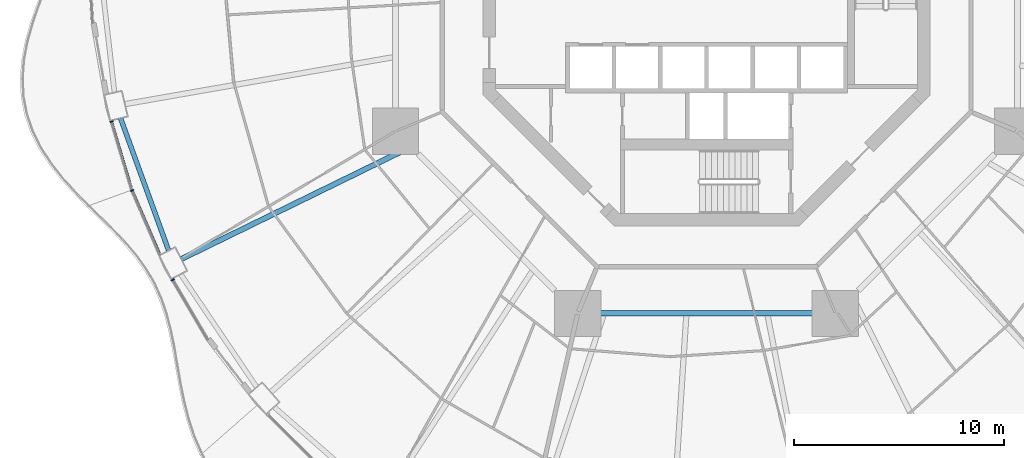
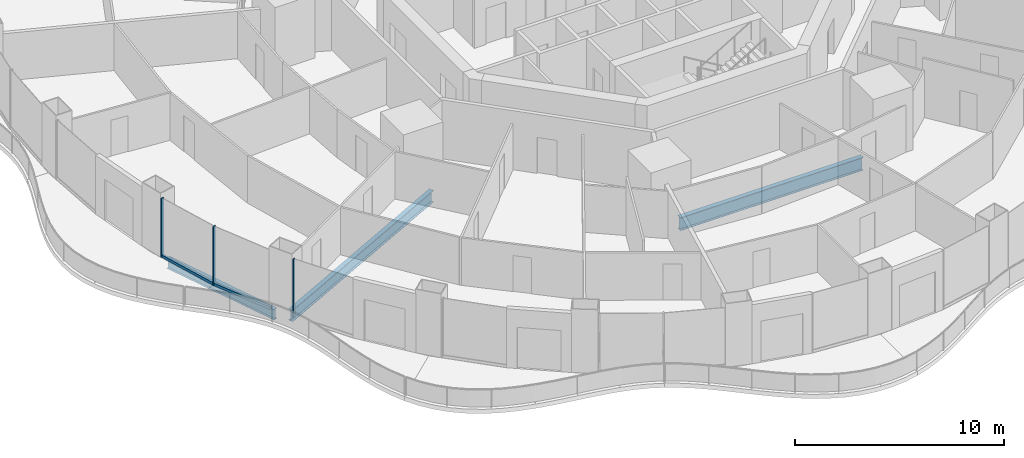
# One storey, part 3 of 22: 5 members, 3 beams, 3 elements without a shape of their own.
"""IFC4 building model written with IfcOpenShell, lengths in metres."""

from ifc_helpers import new_model, si_unit, direction, frame, origin, origin_2d, place, context, subcontext, project, spatial, rectangle, i_section, extrude, material, layer, layer_set, material_profile, profile_set, type_object, element, aggregate, save


model = new_model("IFC4")

# Units and contexts
model_context = context("Model", 3, precision=1e-05, world=origin(), true_north=direction((0.0, 1.0)))
body_context = subcontext(model_context, "Body", "Model", "MODEL_VIEW")
ifc_project = project(units=[si_unit("LENGTHUNIT", "METRE"), si_unit("AREAUNIT", "SQUARE_METRE"), si_unit("VOLUMEUNIT", "CUBIC_METRE"), si_unit("PLANEANGLEUNIT", "RADIAN"), si_unit("MASSUNIT", "GRAM", prefix="KILO")], contexts=[model_context])

# Site, building, storey
site_placement = place(None, origin())
site = spatial("IfcSite", under=ifc_project, at=site_placement, CompositionType="ELEMENT")
building_placement = place(site_placement, origin())
building = spatial("IfcBuilding", under=site, at=building_placement, Name="Nagisa Residences", CompositionType="ELEMENT")
storey_placement = place(building_placement, frame((0.0, 0.0, 99.199951171875)))
storey = spatial("IfcBuildingStorey", under=building, at=storey_placement, Name="L24", CompositionType="ELEMENT", Elevation=99.199951171875)

# Curtain wall, member
ifc_material_1 = material(Name="Concrete-coloured aluminium curtain wall system", Category="concrete")
ifc_layer = layer(ifc_material_1, 0.159912109375)
ifc_layer_set = layer_set([ifc_layer], Name="CW1 CURTAIN WALL")
curtain_wall_type = type_object("IfcCurtainWallType", Name="CW1 CURTAIN WALL", PredefinedType="NOTDEFINED", material=ifc_layer_set)
curtain_wall_1_placement = place(storey_placement, origin())
curtain_wall_1 = element("IfcCurtainWall", 1, at=curtain_wall_1_placement, inside=storey, type_object=curtain_wall_type, Name="cw:CW1:L24:26", PredefinedType="NOTDEFINED")
ifc_material_2 = material(Name="Concrete-coloured aluminium", Category="concrete")
ifc_material_profile_1 = material_profile(ifc_material_2, rectangle(XDim=0.159912109375, YDim=0.06005859375, at=origin_2d()), Name="CW1 MULLION 160x60")
ifc_profile_set_1 = profile_set([ifc_material_profile_1], Name="Concrete-coloured aluminium")
member_type_1 = type_object("IfcMemberType", Name="CW1 MULLION 160x60", PredefinedType="MULLION", material=ifc_profile_set_1)
member_1_placement = place(storey_placement, frame((-28.2802734375, -5.667724609375, 0.0), z_axis=(0.0, 0.0, 1.0), x_axis=(0.958271310082, 0.285860274038, 0.0)))
member_1 = element("IfcMember", 2, at=member_1_placement, type_object=member_type_1, Name="CW1 mullion", PredefinedType="MULLION", context=body_context, shape_type="SweptSolid", body=[
    extrude(rectangle(XDim=0.159912109375, YDim=0.06005859375, at=origin_2d()), origin(), (0.0, 0.0, 1.0), 3.43994140625),
])

curtain_wall_2_placement = place(storey_placement, origin())
curtain_wall_2 = element("IfcCurtainWall", 3, at=curtain_wall_2_placement, inside=storey, type_object=curtain_wall_type, Name="cw:CW1:L24:27", PredefinedType="NOTDEFINED")
member_2_placement = place(storey_placement, frame((-27.301513671875, -8.938232421875, 0.0), z_axis=(0.0, 0.0, 1.0), x_axis=(0.917543276295, 0.397635934147, 0.0)))
member_2 = element("IfcMember", 4, at=member_2_placement, type_object=member_type_1, Name="CW1 mullion", PredefinedType="MULLION", context=body_context, shape_type="SweptSolid", body=[
    extrude(rectangle(XDim=0.159912109375, YDim=0.06005859375, at=origin_2d()), origin(), (0.0, 0.0, 1.0), 3.43994140625),
])

curtain_wall_3_placement = place(storey_placement, origin())
curtain_wall_3 = element("IfcCurtainWall", 5, at=curtain_wall_3_placement, inside=storey, type_object=curtain_wall_type, Name="cw:CW1:L24:28", PredefinedType="NOTDEFINED")
member_3_placement = place(storey_placement, frame((-25.371337890625, -13.185791015625, 0.0), z_axis=(0.0, 0.0, 1.0), x_axis=(0.862328898214, 0.506348567002, 0.0)))
member_3 = element("IfcMember", 6, at=member_3_placement, type_object=member_type_1, Name="CW1 mullion", PredefinedType="MULLION", context=body_context, shape_type="SweptSolid", body=[
    extrude(rectangle(XDim=0.159912109375, YDim=0.06005859375, at=origin_2d()), origin(), (0.0, 0.0, 1.0), 3.43994140625),
])
aggregate(curtain_wall_3, [member_3])

# Member
ifc_material_3 = material(Name="Concrete-coloured aluminium", Category="concrete")
ifc_material_profile_2 = material_profile(ifc_material_3, rectangle(XDim=0.1201171875, YDim=0.14990234375, at=origin_2d()), Name="CW1 TRANSOM 120x150")
ifc_profile_set_2 = profile_set([ifc_material_profile_2], Name="Concrete-coloured aluminium")
member_type_2 = type_object("IfcMemberType", Name="CW1 TRANSOM 120x150", PredefinedType="USERDEFINED", material=ifc_profile_set_2)
member_4_placement = place(storey_placement, frame((-28.288818359375, -5.638916015625, 0.074951171875), z_axis=(0.285816610469, -0.958284334203, 0.0), x_axis=(0.958284334203, 0.285816610469, 0.0)))
member_4 = element("IfcMember", 7, at=member_4_placement, type_object=member_type_2, Name="CW1 transom", ObjectType="TRANSOM", PredefinedType="USERDEFINED", context=body_context, shape_type="SweptSolid", body=[
    extrude(rectangle(XDim=0.1201171875, YDim=0.14990234375, at=origin_2d()), origin(), (0.0, 0.0, 1.0), 3.423583984375),
])

aggregate(curtain_wall_1, [member_1, member_4])

member_5_placement = place(storey_placement, frame((-27.3134765625, -8.91064453125, 0.074951171875), z_axis=(0.397621629246, -0.917549475481, 0.0), x_axis=(0.917549475481, 0.397621629246, 0.0)))
member_5 = element("IfcMember", 8, at=member_5_placement, type_object=member_type_2, Name="CW1 transom", ObjectType="TRANSOM", PredefinedType="USERDEFINED", context=body_context, shape_type="SweptSolid", body=[
    extrude(rectangle(XDim=0.1201171875, YDim=0.14990234375, at=origin_2d()), origin(), (0.0, 0.0, 1.0), 3.37939453125),
])

aggregate(curtain_wall_2, [member_2, member_5])

# Beams
ifc_material_4 = material(Name="Steel ASTM A572 Gr 50", Category="steel")
ifc_material_profile_3 = material_profile(ifc_material_4, i_section(OverallWidth=0.264892578125, OverallDepth=0.7529296875, WebThickness=0.01318359375, FlangeThickness=0.01708984375, at=origin_2d()), Name="W760x147")
ifc_profile_set_3 = profile_set([ifc_material_profile_3], Name="Steel ASTM A572 Gr 50")
beam_type_1 = type_object("IfcBeamType", Name="Inner ring beam W760x147", PredefinedType="BEAM", material=ifc_profile_set_3)
beam_1_placement = place(storey_placement, frame((-5.04296875, -14.781982421875, -0.636474609375), z_axis=(1.0, 0.0, 0.0), x_axis=(0.0, 1.0, 0.0)))
element("IfcBeam", 9, at=beam_1_placement, inside=storey, type_object=beam_type_1, Name="beam:L24:ib6", PredefinedType="BEAM", context=body_context, shape_type="SweptSolid", body=[
    extrude(i_section(OverallWidth=0.264892578125, OverallDepth=0.7529296875, WebThickness=0.01318359375, FlangeThickness=0.01708984375, at=origin_2d()), origin(), (0.0, 0.0, 1.0), 10.0859375),
])
ifc_material_5 = material(Name="Steel ASTM A572 Gr 50", Category="steel")
ifc_material_profile_4 = material_profile(ifc_material_5, i_section(OverallWidth=0.22802734375, OverallDepth=0.60302734375, WebThickness=0.010498046875, FlangeThickness=0.014892578125, at=origin_2d()), Name="W610x101")
ifc_profile_set_4 = profile_set([ifc_material_profile_4], Name="Steel ASTM A572 Gr 50")
beam_type_2 = type_object("IfcBeamType", Name="Perimeter ring beam W610x101", PredefinedType="BEAM", material=ifc_profile_set_4)
beam_2_placement = place(storey_placement, frame((-27.851806640625, -5.505859375, -0.5615234375), z_axis=(0.341365002286, -0.939930814057, 0.0), x_axis=(0.939930814057, 0.341365002286, 0.0)))
element("IfcBeam", 10, at=beam_2_placement, inside=storey, type_object=beam_type_2, Name="beam:L24:pb14", PredefinedType="BEAM", context=body_context, shape_type="SweptSolid", body=[
    extrude(i_section(OverallWidth=0.22802734375, OverallDepth=0.60302734375, WebThickness=0.010498046875, FlangeThickness=0.014892578125, at=origin_2d()), origin(), (0.0, 0.0, 1.0), 6.689208984375),
])
ifc_material_6 = material(Name="Steel ASTM A572 Gr 50", Category="steel")
ifc_material_profile_5 = material_profile(ifc_material_6, i_section(OverallWidth=0.2529296875, OverallDepth=0.677978515625, WebThickness=0.01171875, FlangeThickness=0.016357421875, at=origin_2d()), Name="W690x125")
ifc_profile_set_5 = profile_set([ifc_material_profile_5], Name="Steel ASTM A572 Gr 50")
beam_type_3 = type_object("IfcBeamType", Name="Radial beam W690x125", PredefinedType="BEAM", material=ifc_profile_set_5)
beam_3_placement = place(storey_placement, frame((-24.965087890625, -12.200927734375, -0.598876953125), z_axis=(0.898446773802, 0.439082446296, 0.0), x_axis=(-0.439082446296, 0.898446773802, 0.0)))
element("IfcBeam", 11, at=beam_3_placement, inside=storey, type_object=beam_type_3, Name="beam:L24:rb15", PredefinedType="BEAM", context=body_context, shape_type="SweptSolid", body=[
    extrude(i_section(OverallWidth=0.2529296875, OverallDepth=0.677978515625, WebThickness=0.01171875, FlangeThickness=0.016357421875, at=origin_2d()), origin(), (0.0, 0.0, 1.0), 12.037353515625),
])

save(model, "model.ifc")
